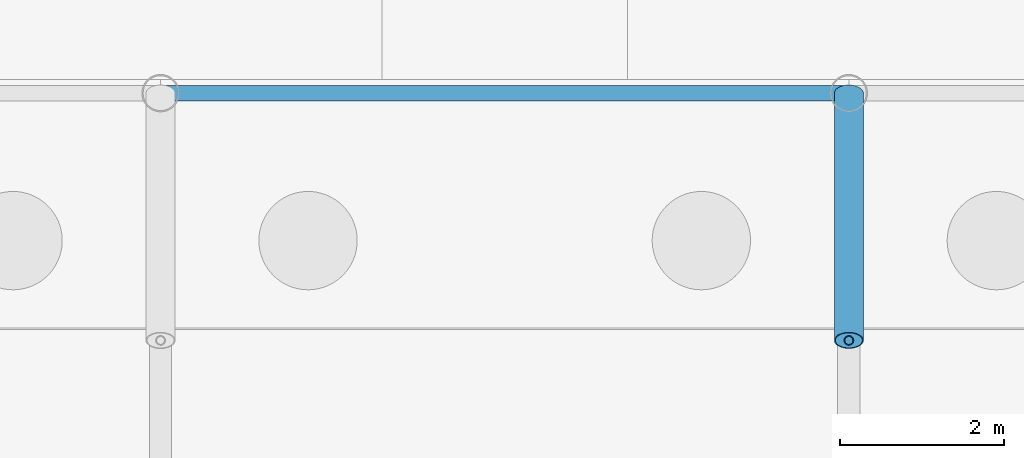
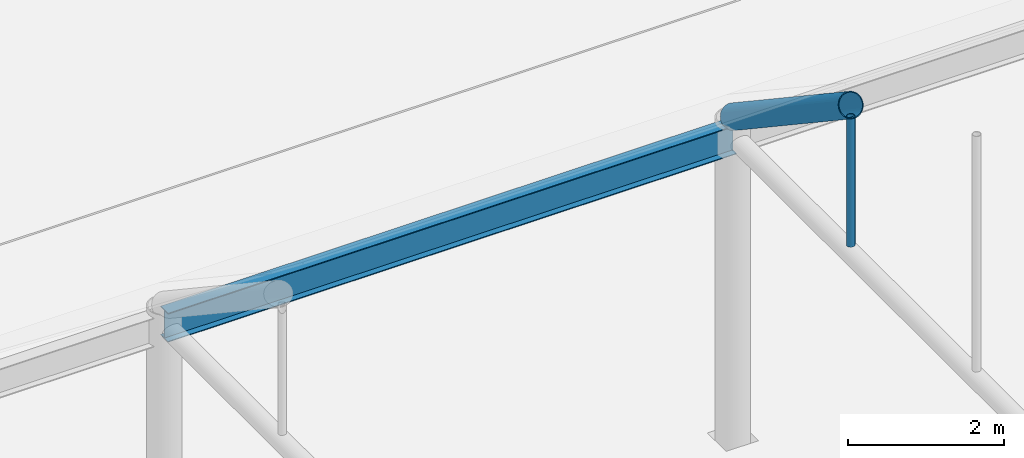
# One storey, part 76 of 212: 2 members, 1 beam.
"""IFC4 building model written with IfcOpenShell, lengths in metres."""

from ifc_helpers import new_model, si_unit, direction, frame, origin, origin_2d, place, context, subcontext, project, spatial, hollow_circle, i_section, extrude, material, material_profile, profile_set, type_object, element, save


model = new_model("IFC4")

# Units and contexts
model_context = context("Model", 3, precision=1e-05, world=origin(), true_north=direction((0.0, 1.0)))
body_context = subcontext(model_context, "Body", "Model", "MODEL_VIEW")
ifc_project = project(units=[si_unit("LENGTHUNIT", "METRE"), si_unit("AREAUNIT", "SQUARE_METRE"), si_unit("VOLUMEUNIT", "CUBIC_METRE"), si_unit("PLANEANGLEUNIT", "RADIAN"), si_unit("MASSUNIT", "GRAM", prefix="KILO")], contexts=[model_context])

# Site, building, storey
site_placement = place(None, origin())
site = spatial("IfcSite", under=ifc_project, at=site_placement, CompositionType="ELEMENT")
building_placement = place(site_placement, origin())
building = spatial("IfcBuilding", under=site, at=building_placement, Name="Catenary Quay Ferry Terminal", CompositionType="ELEMENT")
storey_placement = place(building_placement, origin())
storey = spatial("IfcBuildingStorey", under=building, at=storey_placement, Name="L00", CompositionType="ELEMENT", Elevation=0.0)

# Beam
ifc_material_1 = material(Name="Steel S355", Category="steel")
ifc_material_profile_1 = material_profile(ifc_material_1, i_section(OverallWidth=0.18994140625, OverallDepth=0.453369140625, WebThickness=0.008544921875, FlangeThickness=0.0126953125, at=origin_2d()), Name="UB 457x191x67")
ifc_profile_set_1 = profile_set([ifc_material_profile_1], Name="Steel S355")
beam_type = type_object("IfcBeamType", Name="B1 UB 457x191x67", PredefinedType="BEAM", material=ifc_profile_set_1)
beam_placement = place(storey_placement, frame((75.60009765625, 50.39990234375, 4.699951171875), z_axis=(1.0, 0.0, 0.0), x_axis=(0.0, 1.0, 0.0)))
element("IfcBeam", 1, at=beam_placement, inside=storey, type_object=beam_type, Name="Eaves beam B-CA7-8", PredefinedType="BEAM", context=body_context, shape_type="SweptSolid", body=[
    extrude(i_section(OverallWidth=0.18994140625, OverallDepth=0.453369140625, WebThickness=0.008544921875, FlangeThickness=0.0126953125, at=origin_2d()), origin(), (0.0, 0.0, 1.0), 8.39990234375),
])

# Members
ifc_material_2 = material(Name="Steel S355", Category="steel")
ifc_material_profile_2 = material_profile(ifc_material_2, hollow_circle(Radius=0.05712890625, WallThickness=0.00634765625, at=origin_2d()), Name="CHS 114.3x6.3")
ifc_profile_set_2 = profile_set([ifc_material_profile_2], Name="Steel S355")
member_type_1 = type_object("IfcMemberType", Name="HG1 CHS 114.3x6.3", PredefinedType="POST", material=ifc_profile_set_2)
member_1_placement = place(storey_placement, frame((84.0, 47.382080078125, 4.830078125), z_axis=(0.0, 0.0, 1.0), x_axis=(1.0, 0.0, 0.0)))
element("IfcMember", 2, at=member_1_placement, inside=storey, type_object=member_type_1, Name="Hanger CA-09-09", PredefinedType="POST", context=body_context, shape_type="SweptSolid", body=[
    extrude(hollow_circle(Radius=0.05712890625, WallThickness=0.00634765625, at=origin_2d()), origin(), (0.0, 0.0, 1.0), 2.010986328125),
])
ifc_material_3 = material(Name="Steel S355", Category="steel")
ifc_material_profile_3 = material_profile(ifc_material_3, hollow_circle(Radius=0.177734375, WallThickness=0.012451171875, at=origin_2d()), Name="CHS 355.6x12.5")
ifc_profile_set_3 = profile_set([ifc_material_profile_3], Name="Steel S355")
member_type_2 = type_object("IfcMemberType", Name="VR1 CHS 355.6x12.5", PredefinedType="RAFTER", material=ifc_profile_set_3)
member_2_placement = place(storey_placement, frame((84.0, 47.382080078125, 7.012939453125), z_axis=(0.0, 0.831915666545, -0.554902084837), x_axis=(-1.0, 0.0, 0.0)))
element("IfcMember", 3, at=member_2_placement, inside=storey, type_object=member_type_2, Name="rib CA-09-10", PredefinedType="RAFTER", context=body_context, shape_type="SweptSolid", body=[
    extrude(hollow_circle(Radius=0.177734375, WallThickness=0.012451171875, at=origin_2d()), origin(), (0.0, 0.0, 1.0), 3.62744140625),
])

save(model, "model.ifc")
